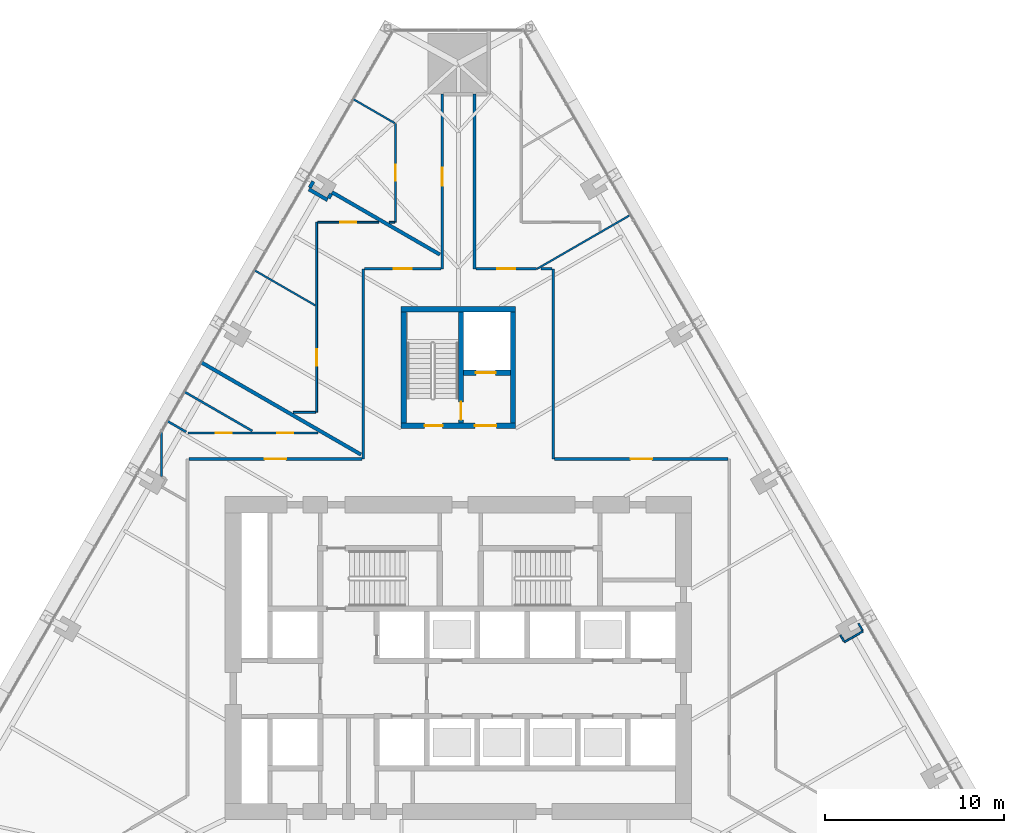
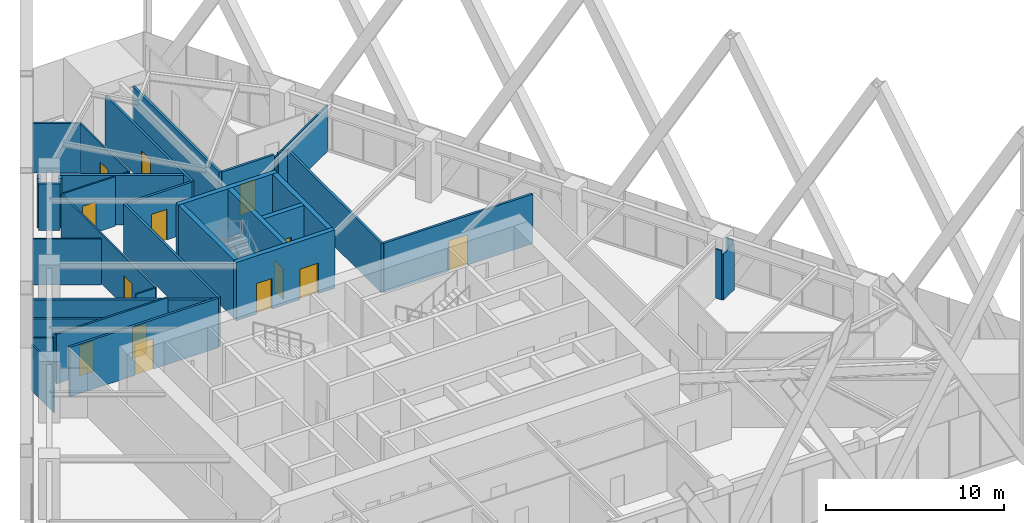
# One storey, part 18 of 21: 35 walls, 14 doors, 14 openings.
"""IFC4 building model written with IfcOpenShell, lengths in metres."""

from ifc_helpers import new_model, si_unit, direction, frame, frame_2d, origin, place, context, subcontext, project, spatial, rectangle, extrude, material, layer, layer_set, type_object, element, fill, save


model = new_model("IFC4")

# Units and contexts
model_context = context("Model", 3, precision=1e-05, world=origin(), true_north=direction((0.0, 1.0)))
body_context = subcontext(model_context, "Body", "Model", "MODEL_VIEW")
ifc_project = project(units=[si_unit("LENGTHUNIT", "METRE"), si_unit("AREAUNIT", "SQUARE_METRE"), si_unit("VOLUMEUNIT", "CUBIC_METRE"), si_unit("PLANEANGLEUNIT", "RADIAN"), si_unit("MASSUNIT", "GRAM", prefix="KILO")], contexts=[model_context])

# Site, building, storey
site_placement = place(None, origin())
site = spatial("IfcSite", under=ifc_project, at=site_placement, CompositionType="ELEMENT")
building_placement = place(site_placement, origin())
building = spatial("IfcBuilding", under=site, at=building_placement, Name="Firuza Gate Tower and Library", CompositionType="ELEMENT")
storey_placement = place(building_placement, frame((0.0, 0.0, 73.60009765625)))
storey = spatial("IfcBuildingStorey", under=building, at=storey_placement, Name="L16", CompositionType="ELEMENT", Elevation=73.60009765625)

# Wall, openings, doors
ifc_material_1 = material(Name="Concrete C80/95", Category="concrete")
ifc_layer_1 = layer(ifc_material_1, 0.300048828125)
ifc_layer_set_1 = layer_set([ifc_layer_1], Name="Core wall 300 C80/95")
wall_type_1 = type_object("IfcWallType", Name="Core wall 300 C80/95", PredefinedType="SHEAR", material=ifc_layer_set_1)
wall_1_placement = place(storey_placement, frame((71.800048828125, 87.949951171875, 0.0), z_axis=(0.0, 0.0, 1.0), x_axis=(1.0, 0.0, 0.0)))
wall_1 = element("IfcWall", 1, at=wall_1_placement, inside=storey, type_object=wall_type_1, Name="Core wall L16 34", PredefinedType="SHEAR", context=body_context, shape_type="SweptSolid", body=[
    extrude(rectangle(XDim=6.39990234375, YDim=0.300048828125, at=frame_2d((3.199951171875, 0.0))), origin(), (0.0, 0.0, 1.0), 4.0),
])
opening_1_placement = place(wall_1_placement, frame((1.324951171875, 0.0, 0.0)))
opening_1 = element("IfcOpeningElement", 2, at=opening_1_placement, cuts=wall_1, Name="Opening L16-K17", PredefinedType="OPENING", context=body_context, shape_type="SweptSolid", body=[
    extrude(rectangle(XDim=1.0, YDim=2.10009765625, at=frame_2d((0.5, 1.050048828125))), frame((0.0, 0.16015625, 0.0), z_axis=(0.0, -1.0, 0.0), x_axis=(1.0, 0.0, 0.0)), (0.0, 0.0, 1.0), 0.320068359375),
])
opening_2_placement = place(wall_1_placement, frame((4.125, 0.0, 0.0)))
opening_2 = element("IfcOpeningElement", 3, at=opening_2_placement, cuts=wall_1, Name="Opening L16-K19", PredefinedType="OPENING", context=body_context, shape_type="SweptSolid", body=[
    extrude(rectangle(XDim=1.199951171875, YDim=2.10009765625, at=frame_2d((0.60009765625, 1.050048828125))), frame((0.0, 0.16015625, 0.0), z_axis=(0.0, -1.0, 0.0), x_axis=(1.0, 0.0, 0.0)), (0.0, 0.0, 1.0), 0.320068359375),
])
ifc_material_2 = material(Name="Steel", Category="steel")
door_type_1 = type_object("IfcDoorType", Name="Fire door 1000x2100 FD90", OperationType="NOTDEFINED", PredefinedType="DOOR", material=ifc_material_2)
door_1_placement = place(opening_1_placement, origin())
door_1 = element("IfcDoor", 4, at=door_1_placement, inside=storey, type_object=door_type_1, Name="Door L16-K17", OperationType="SINGLE_SWING_RIGHT", OverallHeight=2.10009765625, OverallWidth=1.0, PredefinedType="DOOR", context=body_context, shape_type="SweptSolid", body=[
    extrude(rectangle(XDim=1.0, YDim=2.10009765625, at=frame_2d((0.5, 1.050048828125))), frame((0.0, 0.02490234375, 0.0), z_axis=(0.0, -1.0, 0.0), x_axis=(1.0, 0.0, 0.0)), (0.0, 0.0, 1.0), 0.050048828125),
])
fill(opening_1, door_1)
ifc_material_3 = material(Name="Steel", Category="steel")
door_type_2 = type_object("IfcDoorType", Name="Fire door 1200x2100 FD30S", OperationType="NOTDEFINED", PredefinedType="DOOR", material=ifc_material_3)
door_2_placement = place(opening_2_placement, origin())
door_2 = element("IfcDoor", 5, at=door_2_placement, inside=storey, type_object=door_type_2, Name="Door L16-K19", OperationType="SINGLE_SWING_RIGHT", OverallHeight=2.10009765625, OverallWidth=1.199951171875, PredefinedType="DOOR", context=body_context, shape_type="SweptSolid", body=[
    extrude(rectangle(XDim=1.199951171875, YDim=2.10009765625, at=frame_2d((0.60009765625, 1.050048828125))), frame((0.0, 0.02490234375, 0.0), z_axis=(0.0, -1.0, 0.0), x_axis=(1.0, 0.0, 0.0)), (0.0, 0.0, 1.0), 0.050048828125),
])
fill(opening_2, door_2)

# Walls
wall_2_placement = place(storey_placement, frame((71.800048828125, 94.449951171875, 0.0), z_axis=(0.0, 0.0, 1.0), x_axis=(1.0, 0.0, 0.0)))
element("IfcWall", 6, at=wall_2_placement, inside=storey, type_object=wall_type_1, Name="Core wall L16 35", PredefinedType="SHEAR", context=body_context, shape_type="SweptSolid", body=[
    extrude(rectangle(XDim=6.39990234375, YDim=0.300048828125, at=frame_2d((3.199951171875, 0.0))), origin(), (0.0, 0.0, 1.0), 4.0),
])
for number, where, z_axis, x_axis, name in (
    (7, (71.949951171875, 88.10009765625, 0.0), (0.0, 0.0, 1.0), (0.0, 1.0, 0.0), "Core wall L16 36"),
    (8, (78.050048828125, 88.10009765625, 0.0), (0.0, 0.0, 1.0), (0.0, 1.0, 0.0), "Core wall L16 37"),
):
    element("IfcWall", number, at=place(storey_placement, frame(where, z_axis=z_axis, x_axis=x_axis)), inside=storey, type_object=wall_type_1, Name=name, PredefinedType="SHEAR", context=body_context, shape_type="SweptSolid", body=[
        extrude(rectangle(XDim=6.199951171875, YDim=0.300048828125, at=frame_2d((3.10009765625, 0.0))), origin(), (0.0, 0.0, 1.0), 4.0),
    ])

# Wall, opening, door
wall_3_placement = place(storey_placement, frame((75.300048828125, 90.89990234375, 0.0), z_axis=(0.0, 0.0, 1.0), x_axis=(1.0, 0.0, 0.0)))
wall_3 = element("IfcWall", 9, at=wall_3_placement, inside=storey, type_object=wall_type_1, Name="Core wall L16 38", PredefinedType="SHEAR", context=body_context, shape_type="SweptSolid", body=[
    extrude(rectangle(XDim=2.599853515625, YDim=0.300048828125, at=frame_2d((1.2998046875, 0.0))), origin(), (0.0, 0.0, 1.0), 4.0),
])
opening_3_placement = place(wall_3_placement, frame((0.675048828125, 0.0, 0.0)))
opening_3 = element("IfcOpeningElement", 10, at=opening_3_placement, cuts=wall_3, Name="Opening LD-SV1-L16", PredefinedType="OPENING", context=body_context, shape_type="SweptSolid", body=[
    extrude(rectangle(XDim=1.10009765625, YDim=2.10009765625, at=frame_2d((0.550048828125, 1.050048828125))), frame((0.0, 0.16015625, 0.0), z_axis=(0.0, -1.0, 0.0), x_axis=(1.0, 0.0, 0.0)), (0.0, 0.0, 1.0), 0.320068359375),
])
ifc_material_4 = material(Name="Stainless steel", Category="steel")
door_type_3 = type_object("IfcDoorType", Name="Lift landing door 1100x2100", OperationType="DOUBLE_DOOR_SLIDING", PredefinedType="DOOR", material=ifc_material_4)
door_3_placement = place(opening_3_placement, origin())
door_3 = element("IfcDoor", 11, at=door_3_placement, inside=storey, type_object=door_type_3, Name="Landing door SV1 L16", OperationType="DOUBLE_DOOR_SLIDING", OverallHeight=2.10009765625, OverallWidth=1.10009765625, PredefinedType="DOOR", context=body_context, shape_type="SweptSolid", body=[
    extrude(rectangle(XDim=1.10009765625, YDim=2.10009765625, at=frame_2d((0.550048828125, 1.050048828125))), frame((0.0, 0.02490234375, 0.0), z_axis=(0.0, -1.0, 0.0), x_axis=(1.0, 0.0, 0.0)), (0.0, 0.0, 1.0), 0.050048828125),
])
fill(opening_3, door_3)

wall_4_placement = place(storey_placement, frame((75.14990234375, 88.10009765625, 0.0), z_axis=(0.0, 0.0, 1.0), x_axis=(0.0, 1.0, 0.0)))
wall_4 = element("IfcWall", 12, at=wall_4_placement, inside=storey, type_object=wall_type_1, Name="Core wall L16 39", PredefinedType="SHEAR", context=body_context, shape_type="SweptSolid", body=[
    extrude(rectangle(XDim=6.199951171875, YDim=0.300048828125, at=frame_2d((3.10009765625, 0.0))), origin(), (0.0, 0.0, 1.0), 4.0),
])
opening_4_placement = place(wall_4_placement, frame((0.18505859375, 0.0, 0.0)))
opening_4 = element("IfcOpeningElement", 13, at=opening_4_placement, cuts=wall_4, Name="Opening L16-K18", PredefinedType="OPENING", context=body_context, shape_type="SweptSolid", body=[
    extrude(rectangle(XDim=1.0, YDim=2.10009765625, at=frame_2d((0.5, 1.050048828125))), frame((0.0, 0.16015625, 0.0), z_axis=(0.0, -1.0, 0.0), x_axis=(1.0, 0.0, 0.0)), (0.0, 0.0, 1.0), 0.320068359375),
])
door_4_placement = place(opening_4_placement, origin())
door_4 = element("IfcDoor", 14, at=door_4_placement, inside=storey, type_object=door_type_1, Name="Door L16-K18", OperationType="SINGLE_SWING_LEFT", OverallHeight=2.10009765625, OverallWidth=1.0, PredefinedType="DOOR", context=body_context, shape_type="SweptSolid", body=[
    extrude(rectangle(XDim=1.0, YDim=2.10009765625, at=frame_2d((0.5, 1.050048828125))), frame((0.0, 0.02490234375, 0.0), z_axis=(0.0, -1.0, 0.0), x_axis=(1.0, 0.0, 0.0)), (0.0, 0.0, 1.0), 0.050048828125),
])
fill(opening_4, door_4)

ifc_material_5 = material(Name="Gypsum board partition")
ifc_layer_2 = layer(ifc_material_5, 0.14990234375)
ifc_layer_set_2 = layer_set([ifc_layer_2], Name="Corridor wall 150 double board on steel studs")
wall_type_2 = type_object("IfcWallType", Name="Corridor wall 150 double board on steel studs", PredefinedType="PARTITIONING", material=ifc_layer_set_2)
wall_5_placement = place(storey_placement, frame((59.9755859375, 86.10009765625, 0.0), z_axis=(0.0, 0.0, 1.0), x_axis=(1.0, 0.0, 0.0)))
wall_5 = element("IfcWall", 15, at=wall_5_placement, inside=storey, type_object=wall_type_2, Name="f:L16:w004", PredefinedType="PARTITIONING", context=body_context, shape_type="SweptSolid", body=[
    extrude(rectangle(XDim=9.6494140625, YDim=0.14990234375, at=frame_2d((4.82470703125, 0.0))), origin(), (0.0, 0.0, 1.0), 3.39990234375),
])
opening_5_placement = place(wall_5_placement, frame((4.224853515625, 0.0, 0.0)))
opening_5 = element("IfcOpeningElement", 16, at=opening_5_placement, cuts=wall_5, Name="Opening L16-08", PredefinedType="OPENING", context=body_context, shape_type="SweptSolid", body=[
    extrude(rectangle(XDim=1.199951171875, YDim=2.10009765625, at=frame_2d((0.60009765625, 1.050048828125))), frame((0.0, 0.0849609375, 0.0), z_axis=(0.0, -1.0, 0.0), x_axis=(1.0, 0.0, 0.0)), (0.0, 0.0, 1.0), 0.169921875),
])
ifc_material_6 = material(Name="Steel door and timber leaf", Category="steel")
door_type_4 = type_object("IfcDoorType", Name="Fire door 1200 x 2100 steel frame, double leaf", OperationType="NOTDEFINED", PredefinedType="DOOR", material=ifc_material_6)
door_5_placement = place(opening_5_placement, origin())
door_5 = element("IfcDoor", 17, at=door_5_placement, inside=storey, type_object=door_type_4, Name="f:L16:d008", OperationType="DOUBLE_DOOR_SINGLE_SWING", OverallHeight=2.10009765625, OverallWidth=1.199951171875, PredefinedType="DOOR", context=body_context, shape_type="SweptSolid", body=[
    extrude(rectangle(XDim=1.199951171875, YDim=2.10009765625, at=frame_2d((0.60009765625, 1.050048828125))), frame((0.0, 0.02490234375, 0.0), z_axis=(0.0, -1.0, 0.0), x_axis=(1.0, 0.0, 0.0)), (0.0, 0.0, 1.0), 0.050048828125),
])
fill(opening_5, door_5)

wall_6_placement = place(storey_placement, frame((80.375, 86.10009765625, 0.0), z_axis=(0.0, 0.0, 1.0), x_axis=(1.0, 0.0, 0.0)))
wall_6 = element("IfcWall", 18, at=wall_6_placement, inside=storey, type_object=wall_type_2, Name="f:L16:w005", PredefinedType="PARTITIONING", context=body_context, shape_type="SweptSolid", body=[
    extrude(rectangle(XDim=9.6494140625, YDim=0.14990234375, at=frame_2d((4.82470703125, 0.0))), origin(), (0.0, 0.0, 1.0), 3.39990234375),
])
opening_6_placement = place(wall_6_placement, frame((4.224609375, 0.0, 0.0)))
opening_6 = element("IfcOpeningElement", 19, at=opening_6_placement, cuts=wall_6, Name="Opening L16-09", PredefinedType="OPENING", context=body_context, shape_type="SweptSolid", body=[
    extrude(rectangle(XDim=1.199951171875, YDim=2.10009765625, at=frame_2d((0.60009765625, 1.050048828125))), frame((0.0, 0.0849609375, 0.0), z_axis=(0.0, -1.0, 0.0), x_axis=(1.0, 0.0, 0.0)), (0.0, 0.0, 1.0), 0.169921875),
])
door_6_placement = place(opening_6_placement, origin())
door_6 = element("IfcDoor", 20, at=door_6_placement, inside=storey, type_object=door_type_4, Name="f:L16:d009", OperationType="DOUBLE_DOOR_SINGLE_SWING", OverallHeight=2.10009765625, OverallWidth=1.199951171875, PredefinedType="DOOR", context=body_context, shape_type="SweptSolid", body=[
    extrude(rectangle(XDim=1.199951171875, YDim=2.10009765625, at=frame_2d((0.60009765625, 1.050048828125))), frame((0.0, 0.02490234375, 0.0), z_axis=(0.0, -1.0, 0.0), x_axis=(1.0, 0.0, 0.0)), (0.0, 0.0, 1.0), 0.050048828125),
])
fill(opening_6, door_6)

wall_7_placement = place(storey_placement, frame((74.02490234375, 96.699951171875, 0.0), z_axis=(0.0, 0.0, 1.0), x_axis=(-1.0, 0.0, 0.0)))
wall_7 = element("IfcWall", 21, at=wall_7_placement, inside=storey, type_object=wall_type_2, Name="f:L16:w008", PredefinedType="PARTITIONING", context=body_context, shape_type="SweptSolid", body=[
    extrude(rectangle(XDim=4.25, YDim=0.14990234375, at=frame_2d((2.125, 0.0))), origin(), (0.0, 0.0, 1.0), 3.39990234375),
])
opening_7_placement = place(wall_7_placement, frame((1.625, 0.0, 0.0)))
opening_7 = element("IfcOpeningElement", 22, at=opening_7_placement, cuts=wall_7, Name="Opening L16-12", PredefinedType="OPENING", context=body_context, shape_type="SweptSolid", body=[
    extrude(rectangle(XDim=1.0, YDim=2.10009765625, at=frame_2d((0.5, 1.050048828125))), frame((0.0, 0.0849609375, 0.0), z_axis=(0.0, -1.0, 0.0), x_axis=(1.0, 0.0, 0.0)), (0.0, 0.0, 1.0), 0.169921875),
])
ifc_material_7 = material(Name="Steel door and timber leaf", Category="steel")
door_type_5 = type_object("IfcDoorType", Name="Fire door 1000 x 2100 steel frame, timber leaf", OperationType="NOTDEFINED", PredefinedType="DOOR", material=ifc_material_7)
door_7_placement = place(opening_7_placement, origin())
door_7 = element("IfcDoor", 23, at=door_7_placement, inside=storey, type_object=door_type_5, Name="f:L16:d012", OperationType="SINGLE_SWING_LEFT", OverallHeight=2.10009765625, OverallWidth=1.0, PredefinedType="DOOR", context=body_context, shape_type="SweptSolid", body=[
    extrude(rectangle(XDim=1.0, YDim=2.10009765625, at=frame_2d((0.5, 1.050048828125))), frame((0.0, 0.02490234375, 0.0), z_axis=(0.0, -1.0, 0.0), x_axis=(1.0, 0.0, 0.0)), (0.0, 0.0, 1.0), 0.050048828125),
])
fill(opening_7, door_7)

wall_8_placement = place(storey_placement, frame((75.97509765625, 96.699951171875, 0.0), z_axis=(0.0, 0.0, 1.0), x_axis=(1.0, 0.0, 0.0)))
wall_8 = element("IfcWall", 24, at=wall_8_placement, inside=storey, type_object=wall_type_2, Name="f:L16:w009", PredefinedType="PARTITIONING", context=body_context, shape_type="SweptSolid", body=[
    extrude(rectangle(XDim=3.386962890625, YDim=0.14990234375, at=frame_2d((1.693359375, 0.0))), origin(), (0.0, 0.0, 1.0), 3.39990234375),
])
opening_8_placement = place(wall_8_placement, frame((1.193603515625, 0.0, 0.0)))
opening_8 = element("IfcOpeningElement", 25, at=opening_8_placement, cuts=wall_8, Name="Opening L16-13", PredefinedType="OPENING", context=body_context, shape_type="SweptSolid", body=[
    extrude(rectangle(XDim=1.0, YDim=2.10009765625, at=frame_2d((0.5, 1.050048828125))), frame((0.0, 0.0849609375, 0.0), z_axis=(0.0, -1.0, 0.0), x_axis=(1.0, 0.0, 0.0)), (0.0, 0.0, 1.0), 0.169921875),
])
door_8_placement = place(opening_8_placement, origin())
door_8 = element("IfcDoor", 26, at=door_8_placement, inside=storey, type_object=door_type_5, Name="f:L16:d013", OperationType="SINGLE_SWING_LEFT", OverallHeight=2.10009765625, OverallWidth=1.0, PredefinedType="DOOR", context=body_context, shape_type="SweptSolid", body=[
    extrude(rectangle(XDim=1.0, YDim=2.10009765625, at=frame_2d((0.5, 1.050048828125))), frame((0.0, 0.02490234375, 0.0), z_axis=(0.0, -1.0, 0.0), x_axis=(1.0, 0.0, 0.0)), (0.0, 0.0, 1.0), 0.050048828125),
])
fill(opening_8, door_8)

# Walls
wall_9_placement = place(storey_placement, frame((80.300048828125, 86.10009765625, 0.0), z_axis=(0.0, 0.0, 1.0), x_axis=(0.0, 1.0, 0.0)))
element("IfcWall", 27, at=wall_9_placement, inside=storey, type_object=wall_type_2, Name="f:L16:w035", PredefinedType="PARTITIONING", context=body_context, shape_type="SweptSolid", body=[
    extrude(rectangle(XDim=10.599365234375, YDim=0.14990234375, at=frame_2d((5.2998046875, 0.0))), origin(), (0.0, 0.0, 1.0), 3.39990234375),
])
wall_10_placement = place(storey_placement, frame((75.89990234375, 96.699951171875, 0.0), z_axis=(0.0, 0.0, 1.0), x_axis=(0.0, 1.0, 0.0)))
element("IfcWall", 28, at=wall_10_placement, inside=storey, type_object=wall_type_2, Name="f:L16:w040", PredefinedType="PARTITIONING", context=body_context, shape_type="SweptSolid", body=[
    extrude(rectangle(XDim=9.736572265625, YDim=0.14990234375, at=frame_2d((4.8681640625, 0.0))), origin(), (0.0, 0.0, 1.0), 3.39990234375),
])

# Wall, opening, door
wall_11_placement = place(storey_placement, frame((74.10009765625, 96.699951171875, 0.0), z_axis=(0.0, 0.0, 1.0), x_axis=(0.0, 1.0, 0.0)))
wall_11 = element("IfcWall", 29, at=wall_11_placement, inside=storey, type_object=wall_type_2, Name="f:L16:w041", PredefinedType="PARTITIONING", context=body_context, shape_type="SweptSolid", body=[
    extrude(rectangle(XDim=9.736083984375, YDim=0.14990234375, at=frame_2d((4.8681640625, 0.0))), origin(), (0.0, 0.0, 1.0), 3.39990234375),
])
opening_9_placement = place(wall_11_placement, frame((4.62890625, 0.0, 0.0)))
opening_9 = element("IfcOpeningElement", 30, at=opening_9_placement, cuts=wall_11, Name="Opening L16-25", PredefinedType="OPENING", context=body_context, shape_type="SweptSolid", body=[
    extrude(rectangle(XDim=1.0, YDim=2.10009765625, at=frame_2d((0.5, 1.050048828125))), frame((0.0, 0.0849609375, 0.0), z_axis=(0.0, -1.0, 0.0), x_axis=(1.0, 0.0, 0.0)), (0.0, 0.0, 1.0), 0.169921875),
])
door_9_placement = place(opening_9_placement, origin())
door_9 = element("IfcDoor", 31, at=door_9_placement, inside=storey, type_object=door_type_5, Name="f:L16:d025", OperationType="SINGLE_SWING_RIGHT", OverallHeight=2.10009765625, OverallWidth=1.0, PredefinedType="DOOR", context=body_context, shape_type="SweptSolid", body=[
    extrude(rectangle(XDim=1.0, YDim=2.10009765625, at=frame_2d((0.5, 1.050048828125))), frame((0.0, 0.02490234375, 0.0), z_axis=(0.0, -1.0, 0.0), x_axis=(1.0, 0.0, 0.0)), (0.0, 0.0, 1.0), 0.050048828125),
])
fill(opening_9, door_9)

# Walls
wall_12_placement = place(storey_placement, frame((69.699951171875, 86.10009765625, 0.0), z_axis=(0.0, 0.0, 1.0), x_axis=(0.0, 1.0, 0.0)))
element("IfcWall", 32, at=wall_12_placement, inside=storey, type_object=wall_type_2, Name="f:L16:w044", PredefinedType="PARTITIONING", context=body_context, shape_type="SweptSolid", body=[
    extrude(rectangle(XDim=10.599853515625, YDim=0.14990234375, at=frame_2d((5.2998046875, 0.0))), origin(), (0.0, 0.0, 1.0), 3.39990234375),
])
wall_13_placement = place(storey_placement, frame((79.6171875, 96.699951171875, 0.0), z_axis=(0.0, 0.0, 1.0), x_axis=(1.0, 0.0, 0.0)))
element("IfcWall", 33, at=wall_13_placement, inside=storey, type_object=wall_type_2, Name="f:L16:w074", PredefinedType="PARTITIONING", context=body_context, shape_type="SweptSolid", body=[
    extrude(rectangle(XDim=0.607177734375, YDim=0.14990234375, at=frame_2d((0.3037109375, 0.0))), origin(), (0.0, 0.0, 1.0), 3.39990234375),
])
ifc_material_8 = material(Name="Gypsum board partition")
ifc_layer_3 = layer(ifc_material_8, 0.199951171875)
ifc_layer_set_3 = layer_set([ifc_layer_3], Name="Demising wall 200 acoustic double stud")
wall_type_3 = type_object("IfcWallType", Name="Demising wall 200 acoustic double stud", PredefinedType="PARTITIONING", material=ifc_layer_set_3)
wall_14_placement = place(storey_placement, frame((67.761474609375, 100.63427734375, 0.0), z_axis=(0.0, 0.0, 1.0), x_axis=(0.500305662732, 0.865848857387, 0.0)))
element("IfcWall", 34, at=wall_14_placement, inside=storey, type_object=wall_type_3, Name="f:L16:w027", PredefinedType="PARTITIONING", context=body_context, shape_type="SweptSolid", body=[
    extrude(rectangle(XDim=0.289794921875, YDim=0.199951171875, at=frame_2d((0.14501953125, 0.0))), origin(), (0.0, 0.0, 1.0), 3.39990234375),
])
wall_15_placement = place(storey_placement, frame((66.720703125, 101.231689453125, 0.0), z_axis=(0.0, 0.0, 1.0), x_axis=(0.500080938595, 0.865978668822, 0.0)))
element("IfcWall", 35, at=wall_15_placement, inside=storey, type_object=wall_type_3, Name="f:L16:w028", PredefinedType="PARTITIONING", context=body_context, shape_type="SweptSolid", body=[
    extrude(rectangle(XDim=0.39306640625, YDim=0.199951171875, at=frame_2d((0.196533203125, 0.0))), origin(), (0.0, 0.0, 1.0), 3.39990234375),
])
wall_16_placement = place(storey_placement, frame((73.973388671875, 97.498779296875, 0.0), z_axis=(0.0, 0.0, 1.0), x_axis=(-0.866037536751, 0.499978984496, 0.0)))
element("IfcWall", 36, at=wall_16_placement, inside=storey, type_object=wall_type_3, Name="f:L16:w060", PredefinedType="PARTITIONING", context=body_context, shape_type="SweptSolid", body=[
    extrude(rectangle(XDim=6.947509765625, YDim=0.199951171875, at=frame_2d((3.4736328125, 0.0))), origin(), (0.0, 0.0, 1.0), 3.39990234375),
])
wall_17_placement = place(storey_placement, frame((67.70654296875, 100.539306640625, 0.0), z_axis=(0.0, 0.0, 1.0), x_axis=(-0.865955154139, 0.50012165622, 0.0)))
element("IfcWall", 37, at=wall_17_placement, inside=storey, type_object=wall_type_3, Name="f:L16:w061", PredefinedType="PARTITIONING", context=body_context, shape_type="SweptSolid", body=[
    extrude(rectangle(XDim=1.199951171875, YDim=0.199951171875, at=frame_2d((0.60009765625, 0.0))), origin(), (0.0, 0.0, 1.0), 3.164794921875),
])
wall_18_placement = place(storey_placement, frame((69.572998046875, 86.347900390625, 0.0), z_axis=(0.0, 0.0, 1.0), x_axis=(-0.866024495625, 0.500001572974, 0.0)))
element("IfcWall", 38, at=wall_18_placement, inside=storey, type_object=wall_type_3, Name="f:L16:w063", PredefinedType="PARTITIONING", context=body_context, shape_type="SweptSolid", body=[
    extrude(rectangle(XDim=10.27197265625, YDim=0.199951171875, at=frame_2d((5.135986328125, 0.0))), origin(), (0.0, 0.0, 1.0), 3.164794921875),
])
ifc_material_9 = material(Name="Gypsum board partition")
ifc_layer_4 = layer(ifc_material_9, 0.10009765625)
ifc_layer_set_4 = layer_set([ifc_layer_4], Name="Partition 100 gypsum board on steel studs")
wall_type_4 = type_object("IfcWallType", Name="Partition 100 gypsum board on steel studs", PredefinedType="PARTITIONING", material=ifc_layer_set_4)
wall_19_placement = place(storey_placement, frame((65.788818359375, 88.699951171875, 0.0), z_axis=(0.0, 0.0, 1.0), x_axis=(1.0, 0.0, 0.0)))
element("IfcWall", 39, at=wall_19_placement, inside=storey, type_object=wall_type_4, Name="f:L16:w007", PredefinedType="PARTITIONING", context=body_context, shape_type="SweptSolid", body=[
    extrude(rectangle(XDim=1.26123046875, YDim=0.10009765625, at=frame_2d((0.630615234375, 0.0))), origin(), (0.0, 0.0, 1.0), 3.39990234375),
])

# Wall, opening, door
wall_20_placement = place(storey_placement, frame((70.566650390625, 99.300048828125, 0.0), z_axis=(0.0, 0.0, 1.0), x_axis=(-1.0, 0.0, 0.0)))
wall_20 = element("IfcWall", 40, at=wall_20_placement, inside=storey, type_object=wall_type_4, Name="f:L16:w010", PredefinedType="PARTITIONING", context=body_context, shape_type="SweptSolid", body=[
    extrude(rectangle(XDim=3.416748046875, YDim=0.10009765625, at=frame_2d((1.70849609375, 0.0))), origin(), (0.0, 0.0, 1.0), 3.39990234375),
])
opening_10_placement = place(wall_20_placement, frame((1.25830078125, 0.0, 0.0)))
opening_10 = element("IfcOpeningElement", 41, at=opening_10_placement, cuts=wall_20, Name="Opening L16-14", PredefinedType="OPENING", context=body_context, shape_type="SweptSolid", body=[
    extrude(rectangle(XDim=0.89990234375, YDim=2.10009765625, at=frame_2d((0.449951171875, 1.050048828125))), frame((0.0, 0.06005859375, 0.0), z_axis=(0.0, -1.0, 0.0), x_axis=(1.0, 0.0, 0.0)), (0.0, 0.0, 1.0), 0.1201171875),
])
ifc_material_10 = material(Name="Timber door", Category="wood")
door_type_6 = type_object("IfcDoorType", Name="Door 900 x 2100 timber leaf", OperationType="NOTDEFINED", PredefinedType="DOOR", material=ifc_material_10)
door_10_placement = place(opening_10_placement, origin())
door_10 = element("IfcDoor", 42, at=door_10_placement, inside=storey, type_object=door_type_6, Name="f:L16:d014", OperationType="SINGLE_SWING_RIGHT", OverallHeight=2.10009765625, OverallWidth=0.89990234375, PredefinedType="DOOR", context=body_context, shape_type="SweptSolid", body=[
    extrude(rectangle(XDim=0.89990234375, YDim=2.10009765625, at=frame_2d((0.449951171875, 1.050048828125))), frame((0.0, 0.02490234375, 0.0), z_axis=(0.0, -1.0, 0.0), x_axis=(1.0, 0.0, 0.0)), (0.0, 0.0, 1.0), 0.050048828125),
])
fill(opening_10, door_10)

# Walls
wall_21_placement = place(storey_placement, frame((96.521728515625, 75.89599609375, 0.0), z_axis=(0.0, 0.0, 1.0), x_axis=(0.865978732077, 0.500080829057, 0.0)))
element("IfcWall", 43, at=wall_21_placement, inside=storey, type_object=wall_type_4, Name="f:L16:w014", PredefinedType="PARTITIONING", context=body_context, shape_type="SweptSolid", body=[
    extrude(rectangle(XDim=1.198974609375, YDim=0.10009765625, at=frame_2d((0.599609375, 0.0))), origin(), (0.0, 0.0, 1.0), 3.164794921875),
])
wall_22_placement = place(storey_placement, frame((79.386962890625, 96.699951171875, 0.0), z_axis=(0.0, 0.0, 1.0), x_axis=(0.866032365835, 0.499987941182, 0.0)))
element("IfcWall", 44, at=wall_22_placement, inside=storey, type_object=wall_type_4, Name="f:L16:w023", PredefinedType="PARTITIONING", context=body_context, shape_type="SweptSolid", body=[
    extrude(rectangle(XDim=5.996826171875, YDim=0.10009765625, at=frame_2d((2.99853515625, 0.0))), origin(), (0.0, 0.0, 1.0), 3.164794921875),
])

# Wall, opening, door
wall_23_placement = place(storey_placement, frame((71.5, 104.80078125, 0.0), z_axis=(0.0, 0.0, 1.0), x_axis=(0.0, -1.0, 0.0)))
wall_23 = element("IfcWall", 45, at=wall_23_placement, inside=storey, type_object=wall_type_4, Name="f:L16:w043", PredefinedType="PARTITIONING", context=body_context, shape_type="SweptSolid", body=[
    extrude(rectangle(XDim=5.500732421875, YDim=0.10009765625, at=frame_2d((2.75048828125, 0.0))), origin(), (0.0, 0.0, 1.0), 3.39990234375),
])
opening_11_placement = place(wall_23_placement, frame((2.300537109375, 0.0, 0.0)))
opening_11 = element("IfcOpeningElement", 46, at=opening_11_placement, cuts=wall_23, Name="Opening L16-26", PredefinedType="OPENING", context=body_context, shape_type="SweptSolid", body=[
    extrude(rectangle(XDim=0.89990234375, YDim=2.10009765625, at=frame_2d((0.449951171875, 1.050048828125))), frame((0.0, 0.06005859375, 0.0), z_axis=(0.0, -1.0, 0.0), x_axis=(1.0, 0.0, 0.0)), (0.0, 0.0, 1.0), 0.1201171875),
])
door_11_placement = place(opening_11_placement, origin())
door_11 = element("IfcDoor", 47, at=door_11_placement, inside=storey, type_object=door_type_6, Name="f:L16:d026", OperationType="SINGLE_SWING_RIGHT", OverallHeight=2.10009765625, OverallWidth=0.89990234375, PredefinedType="DOOR", context=body_context, shape_type="SweptSolid", body=[
    extrude(rectangle(XDim=0.89990234375, YDim=2.10009765625, at=frame_2d((0.449951171875, 1.050048828125))), frame((0.0, 0.02490234375, 0.0), z_axis=(0.0, -1.0, 0.0), x_axis=(1.0, 0.0, 0.0)), (0.0, 0.0, 1.0), 0.050048828125),
])
fill(opening_11, door_11)

wall_24_placement = place(storey_placement, frame((67.10009765625, 99.300048828125, 0.0), z_axis=(0.0, 0.0, 1.0), x_axis=(0.0, -1.0, 0.0)))
wall_24 = element("IfcWall", 48, at=wall_24_placement, inside=storey, type_object=wall_type_4, Name="f:L16:w045", PredefinedType="PARTITIONING", context=body_context, shape_type="SweptSolid", body=[
    extrude(rectangle(XDim=10.60009765625, YDim=0.10009765625, at=frame_2d((5.300048828125, 0.0))), origin(), (0.0, 0.0, 1.0), 3.39990234375),
])
opening_12_placement = place(wall_24_placement, frame((7.087646484375, 0.0, 0.0)))
opening_12 = element("IfcOpeningElement", 49, at=opening_12_placement, cuts=wall_24, Name="Opening L16-27", PredefinedType="OPENING", context=body_context, shape_type="SweptSolid", body=[
    extrude(rectangle(XDim=0.89990234375, YDim=2.10009765625, at=frame_2d((0.449951171875, 1.050048828125))), frame((0.0, 0.06005859375, 0.0), z_axis=(0.0, -1.0, 0.0), x_axis=(1.0, 0.0, 0.0)), (0.0, 0.0, 1.0), 0.1201171875),
])
door_12_placement = place(opening_12_placement, origin())
door_12 = element("IfcDoor", 50, at=door_12_placement, inside=storey, type_object=door_type_6, Name="f:L16:d027", OperationType="SINGLE_SWING_LEFT", OverallHeight=2.10009765625, OverallWidth=0.89990234375, PredefinedType="DOOR", context=body_context, shape_type="SweptSolid", body=[
    extrude(rectangle(XDim=0.89990234375, YDim=2.10009765625, at=frame_2d((0.449951171875, 1.050048828125))), frame((0.0, 0.02490234375, 0.0), z_axis=(0.0, -1.0, 0.0), x_axis=(1.0, 0.0, 0.0)), (0.0, 0.0, 1.0), 0.050048828125),
])
fill(opening_12, door_12)

# Walls
wall_25_placement = place(storey_placement, frame((58.449951171875, 85.1328125, 0.0), z_axis=(0.0, 0.0, 1.0), x_axis=(0.0, 1.0, 0.0)))
element("IfcWall", 51, at=wall_25_placement, inside=storey, type_object=wall_type_4, Name="f:L16:w050", PredefinedType="PARTITIONING", context=body_context, shape_type="SweptSolid", body=[
    extrude(rectangle(XDim=2.49365234375, YDim=0.10009765625, at=frame_2d((1.246826171875, 0.0))), origin(), (0.0, 0.0, 1.0), 3.164794921875),
])
wall_26_placement = place(storey_placement, frame((97.53564453125, 76.539306640625, 0.0), z_axis=(0.0, 0.0, 1.0), x_axis=(-0.499879237999, 0.866095114533, 0.0)))
element("IfcWall", 52, at=wall_26_placement, inside=storey, type_object=wall_type_4, Name="f:L16:w054", PredefinedType="PARTITIONING", context=body_context, shape_type="SweptSolid", body=[
    extrude(rectangle(XDim=0.44921875, YDim=0.10009765625, at=frame_2d((0.224609375, 0.0))), origin(), (0.0, 0.0, 1.0), 3.39990234375),
])
wall_27_placement = place(storey_placement, frame((96.496337890625, 75.939208984375, 0.0), z_axis=(0.0, 0.0, 1.0), x_axis=(-0.499757756434, 0.866165218006, 0.0)))
element("IfcWall", 53, at=wall_27_placement, inside=storey, type_object=wall_type_4, Name="f:L16:w055", PredefinedType="PARTITIONING", context=body_context, shape_type="SweptSolid", body=[
    extrude(rectangle(XDim=0.399169921875, YDim=0.10009765625, at=frame_2d((0.19970703125, 0.0))), origin(), (0.0, 0.0, 1.0), 3.39990234375),
])
wall_28_placement = place(storey_placement, frame((71.449951171875, 104.82958984375, 0.0), z_axis=(0.0, 0.0, 1.0), x_axis=(-0.866023371876, 0.500003519352, 0.0)))
element("IfcWall", 54, at=wall_28_placement, inside=storey, type_object=wall_type_4, Name="f:L16:w059", PredefinedType="PARTITIONING", context=body_context, shape_type="SweptSolid", body=[
    extrude(rectangle(XDim=2.65673828125, YDim=0.10009765625, at=frame_2d((1.328369140625, 0.0))), origin(), (0.0, 0.0, 1.0), 3.39990234375),
])
wall_29_placement = place(storey_placement, frame((67.02392578125, 94.664794921875, 0.0), z_axis=(0.0, 0.0, 1.0), x_axis=(-0.866046116492, 0.499964122822, 0.0)))
element("IfcWall", 55, at=wall_29_placement, inside=storey, type_object=wall_type_4, Name="f:L16:w062", PredefinedType="PARTITIONING", context=body_context, shape_type="SweptSolid", body=[
    extrude(rectangle(XDim=3.906005859375, YDim=0.10009765625, at=frame_2d((1.953125, 0.0))), origin(), (0.0, 0.0, 1.0), 3.164794921875),
])
wall_30_placement = place(storey_placement, frame((71.139892578125, 99.300048828125, 0.0), z_axis=(0.0, 0.0, 1.0), x_axis=(1.0, 0.0, 0.0)))
element("IfcWall", 56, at=wall_30_placement, inside=storey, type_object=wall_type_4, Name="f:L16:w075", PredefinedType="PARTITIONING", context=body_context, shape_type="SweptSolid", body=[
    extrude(rectangle(XDim=0.31005859375, YDim=0.10009765625, at=frame_2d((0.155029296875, 0.0))), origin(), (0.0, 0.0, 1.0), 3.39990234375),
])

# Wall, openings, doors
ifc_material_11 = material(Name="Gypsum board partition")
ifc_layer_5 = layer(ifc_material_11, 0.1201171875)
ifc_layer_set_5 = layer_set([ifc_layer_5], Name="Wet-area partition 120 moisture-resistant board")
wall_type_5 = type_object("IfcWallType", Name="Wet-area partition 120 moisture-resistant board", PredefinedType="PARTITIONING", material=ifc_layer_set_5)
wall_31_placement = place(storey_placement, frame((67.1806640625, 87.550048828125, 0.0), z_axis=(0.0, 0.0, 1.0), x_axis=(-1.0, 0.0, 0.0)))
wall_31 = element("IfcWall", 57, at=wall_31_placement, inside=storey, type_object=wall_type_5, Name="f:L16:w006", PredefinedType="PARTITIONING", context=body_context, shape_type="SweptSolid", body=[
    extrude(rectangle(XDim=7.248779296875, YDim=0.1201171875, at=frame_2d((3.62451171875, 0.0))), origin(), (0.0, 0.0, 1.0), 3.39990234375),
])
opening_13_placement = place(wall_31_placement, frame((1.3876953125, 0.0, 0.0)))
opening_13 = element("IfcOpeningElement", 58, at=opening_13_placement, cuts=wall_31, Name="Opening L16-10", PredefinedType="OPENING", context=body_context, shape_type="SweptSolid", body=[
    extrude(rectangle(XDim=0.89990234375, YDim=2.10009765625, at=frame_2d((0.449951171875, 1.050048828125))), frame((0.0, 0.070068359375, 0.0), z_axis=(0.0, -1.0, 0.0), x_axis=(1.0, 0.0, 0.0)), (0.0, 0.0, 1.0), 0.14013671875),
])
opening_14_placement = place(wall_31_placement, frame((4.807373046875, 0.0, 0.0)))
opening_14 = element("IfcOpeningElement", 59, at=opening_14_placement, cuts=wall_31, Name="Opening L16-11", PredefinedType="OPENING", context=body_context, shape_type="SweptSolid", body=[
    extrude(rectangle(XDim=0.89990234375, YDim=2.10009765625, at=frame_2d((0.449951171875, 1.050048828125))), frame((0.0, 0.070068359375, 0.0), z_axis=(0.0, -1.0, 0.0), x_axis=(1.0, 0.0, 0.0)), (0.0, 0.0, 1.0), 0.14013671875),
])
door_13_placement = place(opening_13_placement, origin())
door_13 = element("IfcDoor", 60, at=door_13_placement, inside=storey, type_object=door_type_6, Name="f:L16:d010", OperationType="SINGLE_SWING_LEFT", OverallHeight=2.10009765625, OverallWidth=0.89990234375, PredefinedType="DOOR", context=body_context, shape_type="SweptSolid", body=[
    extrude(rectangle(XDim=0.89990234375, YDim=2.10009765625, at=frame_2d((0.449951171875, 1.050048828125))), frame((0.0, 0.02490234375, 0.0), z_axis=(0.0, -1.0, 0.0), x_axis=(1.0, 0.0, 0.0)), (0.0, 0.0, 1.0), 0.050048828125),
])
fill(opening_13, door_13)
door_14_placement = place(opening_14_placement, origin())
door_14 = element("IfcDoor", 61, at=door_14_placement, inside=storey, type_object=door_type_6, Name="f:L16:d011", OperationType="SINGLE_SWING_RIGHT", OverallHeight=2.10009765625, OverallWidth=0.89990234375, PredefinedType="DOOR", context=body_context, shape_type="SweptSolid", body=[
    extrude(rectangle(XDim=0.89990234375, YDim=2.10009765625, at=frame_2d((0.449951171875, 1.050048828125))), frame((0.0, 0.02490234375, 0.0), z_axis=(0.0, -1.0, 0.0), x_axis=(1.0, 0.0, 0.0)), (0.0, 0.0, 1.0), 0.050048828125),
])
fill(opening_14, door_14)

# Walls
wall_32_placement = place(storey_placement, frame((63.511962890625, 87.664794921875, 0.0), z_axis=(0.0, 0.0, 1.0), x_axis=(-0.866014185868, 0.500019429497, 0.0)))
element("IfcWall", 62, at=wall_32_placement, inside=storey, type_object=wall_type_5, Name="f:L16:w064", PredefinedType="PARTITIONING", context=body_context, shape_type="SweptSolid", body=[
    extrude(rectangle(XDim=4.364501953125, YDim=0.1201171875, at=frame_2d((2.18212890625, 0.0))), origin(), (0.0, 0.0, 1.0), 3.164794921875),
])
wall_33_placement = place(storey_placement, frame((59.82763671875, 87.609619140625, 0.0), z_axis=(0.0, 0.0, 1.0), x_axis=(-0.865996090227, 0.500050769134, 0.0)))
element("IfcWall", 63, at=wall_33_placement, inside=storey, type_object=wall_type_5, Name="f:L16:w066", PredefinedType="PARTITIONING", context=body_context, shape_type="SweptSolid", body=[
    extrude(rectangle(XDim=1.20166015625, YDim=0.1201171875, at=frame_2d((0.600830078125, 0.0))), origin(), (0.0, 0.0, 1.0), 3.164794921875),
])

save(model, "model.ifc")
